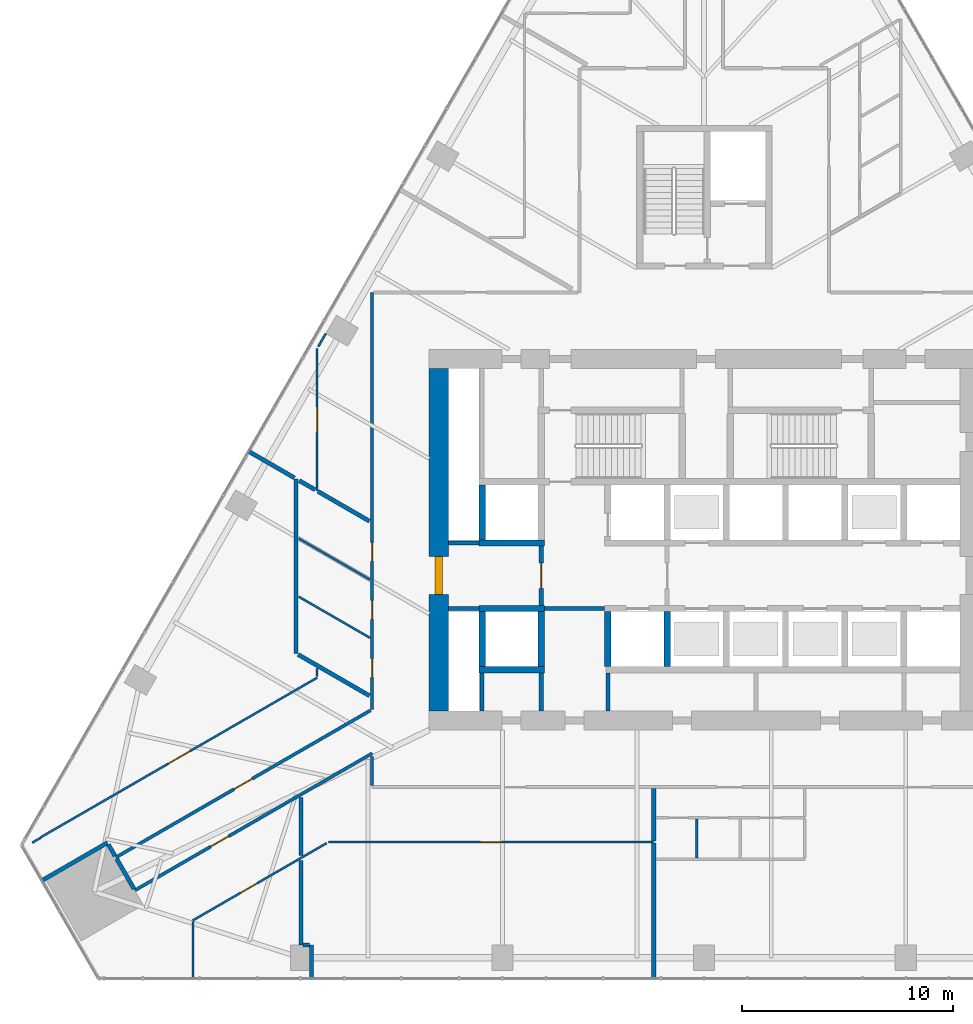
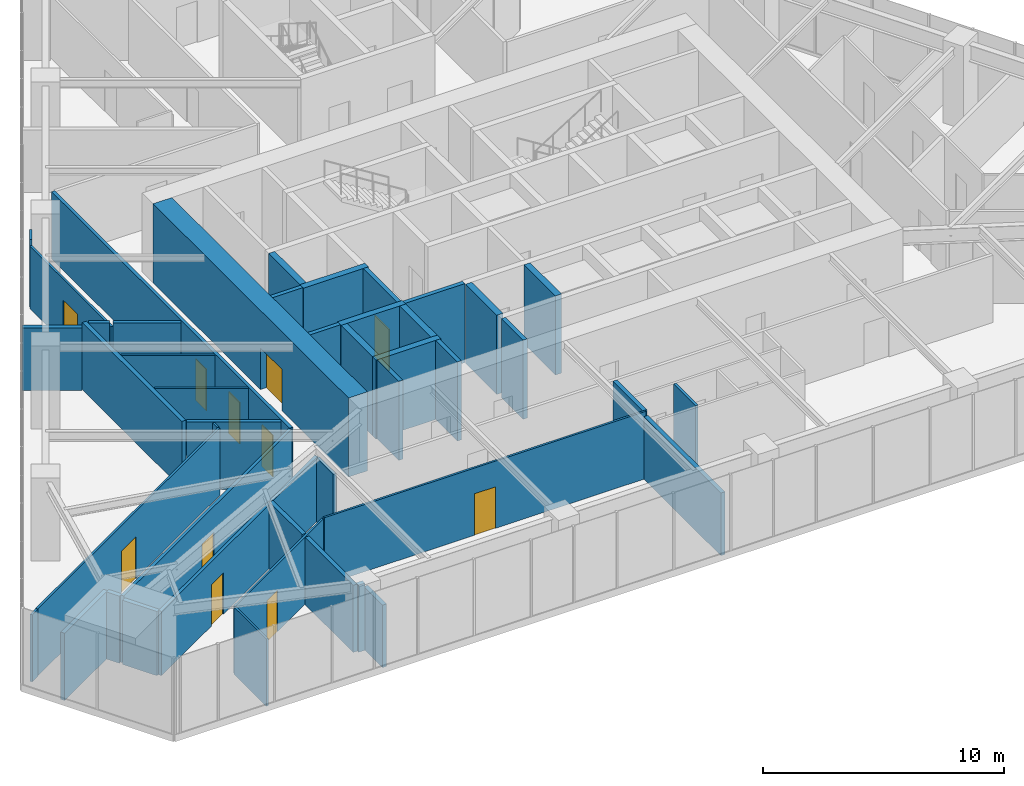
# One storey, part 20 of 26: 45 walls, 11 doors, 11 openings.
"""IFC4 building model written with IfcOpenShell, lengths in metres."""

from ifc_helpers import new_model, si_unit, direction, frame, frame_2d, origin, place, context, subcontext, project, spatial, rectangle, extrude, material, layer, layer_set, type_object, element, fill, save


model = new_model("IFC4")

# Units and contexts
model_context = context("Model", 3, precision=1e-05, world=origin(), true_north=direction((0.0, 1.0)))
body_context = subcontext(model_context, "Body", "Model", "MODEL_VIEW")
ifc_project = project(units=[si_unit("LENGTHUNIT", "METRE"), si_unit("AREAUNIT", "SQUARE_METRE"), si_unit("VOLUMEUNIT", "CUBIC_METRE"), si_unit("PLANEANGLEUNIT", "RADIAN"), si_unit("MASSUNIT", "GRAM", prefix="KILO")], contexts=[model_context])

# Site, building, storey
site_placement = place(None, origin())
site = spatial("IfcSite", under=ifc_project, at=site_placement, CompositionType="ELEMENT")
building_placement = place(site_placement, origin())
building = spatial("IfcBuilding", under=site, at=building_placement, Name="Firuza Gate Tower and Library", CompositionType="ELEMENT")
storey_placement = place(building_placement, frame((0.0, 0.0, 65.199951171875)))
storey = spatial("IfcBuildingStorey", under=building, at=storey_placement, Name="L14", CompositionType="ELEMENT", Elevation=65.199951171875)

# Walls
ifc_material_1 = material(Name="Plasterboard on steel studs", Category="steel")
ifc_layer_1 = layer(ifc_material_1, 0.199951171875)
ifc_layer_set_1 = layer_set([ifc_layer_1], Name="Core partition 200 EI 120")
wall_type_1 = type_object("IfcWallType", Name="Core partition 200 EI 120", PredefinedType="PARTITIONING", material=ifc_layer_set_1)
for number, where, z_axis, x_axis, name in (
    (1, (62.89990234375, 71.75, 0.0), (0.0, 0.0, 1.0), (1.0, 0.0, 0.0), "Core partition L14 1"),
    (2, (62.89990234375, 74.85009765625, 0.0), (0.0, 0.0, 1.0), (1.0, 0.0, 0.0), "Core partition L14 3"),
):
    element("IfcWall", number, at=place(storey_placement, frame(where, z_axis=z_axis, x_axis=x_axis)), inside=storey, type_object=wall_type_1, Name=name, PredefinedType="PARTITIONING", context=body_context, shape_type="SweptSolid", body=[
        extrude(rectangle(XDim=1.4501953125, YDim=0.199951171875, at=frame_2d((0.72509765625, 0.0))), origin(), (0.0, 0.0, 1.0), 4.0),
    ])
for number, where, z_axis, x_axis, name in (
    (3, (64.5, 66.89990234375, 0.0), (0.0, 0.0, 1.0), (0.0, 1.0, 0.0), "Core partition L14 5"),
    (4, (67.300048828125, 66.89990234375, 0.0), (0.0, 0.0, 1.0), (0.0, 1.0, 0.0), "Core partition L14 7"),
    (5, (70.449951171875, 66.89990234375, 0.0), (0.0, 0.0, 1.0), (0.0, 1.0, 0.0), "Core partition L14 10"),
):
    element("IfcWall", number, at=place(storey_placement, frame(where, z_axis=z_axis, x_axis=x_axis)), inside=storey, type_object=wall_type_1, Name=name, PredefinedType="PARTITIONING", context=body_context, shape_type="SweptSolid", body=[
        extrude(rectangle(XDim=1.800048828125, YDim=0.199951171875, at=frame_2d((0.89990234375, 0.0))), origin(), (0.0, 0.0, 1.0), 4.0),
    ])
ifc_material_2 = material(Name="Plasterboard on steel studs", Category="steel")
ifc_layer_2 = layer(ifc_material_2, 0.199951171875)
ifc_layer_set_2 = layer_set([ifc_layer_2], Name="Core partition 200 EI 60")
wall_type_2 = type_object("IfcWallType", Name="Core partition 200 EI 60", PredefinedType="PARTITIONING", material=ifc_layer_set_2)
wall_1_placement = place(storey_placement, frame((67.449951171875, 71.75, 0.0), z_axis=(0.0, 0.0, 1.0), x_axis=(1.0, 0.0, 0.0)))
element("IfcWall", 6, at=wall_1_placement, inside=storey, type_object=wall_type_2, Name="Core partition L14 2", PredefinedType="PARTITIONING", context=body_context, shape_type="SweptSolid", body=[
    extrude(rectangle(XDim=2.85009765625, YDim=0.199951171875, at=frame_2d((1.425048828125, 0.0))), origin(), (0.0, 0.0, 1.0), 4.0),
])

# Wall, opening, door
wall_2_placement = place(storey_placement, frame((67.300048828125, 71.89990234375, 0.0), z_axis=(0.0, 0.0, 1.0), x_axis=(0.0, 1.0, 0.0)))
wall_2 = element("IfcWall", 7, at=wall_2_placement, inside=storey, type_object=wall_type_2, Name="Core partition L14 8", PredefinedType="PARTITIONING", context=body_context, shape_type="SweptSolid", body=[
    extrude(rectangle(XDim=2.800048828125, YDim=0.199951171875, at=frame_2d((1.39990234375, 0.0))), origin(), (0.0, 0.0, 1.0), 4.0),
])
opening_1_placement = place(wall_2_placement, frame((0.800048828125, 0.0, 0.0)))
opening_1 = element("IfcOpeningElement", 8, at=opening_1_placement, cuts=wall_2, Name="Opening L14-K21", PredefinedType="OPENING", context=body_context, shape_type="SweptSolid", body=[
    extrude(rectangle(XDim=1.199951171875, YDim=2.10009765625, at=frame_2d((0.60009765625, 1.050048828125))), frame((0.0, 0.10986328125, 0.0), z_axis=(0.0, -1.0, 0.0), x_axis=(1.0, 0.0, 0.0)), (0.0, 0.0, 1.0), 0.219970703125),
])
ifc_material_3 = material(Name="Steel", Category="steel")
door_type_1 = type_object("IfcDoorType", Name="Fire door 1200x2100 FD90S", OperationType="NOTDEFINED", PredefinedType="DOOR", material=ifc_material_3)
door_1_placement = place(opening_1_placement, origin())
door_1 = element("IfcDoor", 9, at=door_1_placement, inside=storey, type_object=door_type_1, Name="Door L14-K21", OperationType="SINGLE_SWING_RIGHT", OverallHeight=2.10009765625, OverallWidth=1.199951171875, PredefinedType="DOOR", context=body_context, shape_type="SweptSolid", body=[
    extrude(rectangle(XDim=1.199951171875, YDim=2.10009765625, at=frame_2d((0.60009765625, 1.050048828125))), frame((0.0, 0.02490234375, 0.0), z_axis=(0.0, -1.0, 0.0), x_axis=(1.0, 0.0, 0.0)), (0.0, 0.0, 1.0), 0.050048828125),
])
fill(opening_1, door_1)

# Walls
ifc_material_4 = material(Name="Concrete C80/95", Category="concrete")
ifc_layer_3 = layer(ifc_material_4, 0.300048828125)
ifc_layer_set_3 = layer_set([ifc_layer_3], Name="Core wall 300 C80/95")
wall_type_3 = type_object("IfcWallType", Name="Core wall 300 C80/95", PredefinedType="SHEAR", material=ifc_layer_set_3)
for number, where, z_axis, x_axis, name in (
    (10, (64.35009765625, 68.85009765625, 0.0), (0.0, 0.0, 1.0), (1.0, 0.0, 0.0), "Core wall L14 5"),
    (11, (64.35009765625, 71.75, 0.0), (0.0, 0.0, 1.0), (1.0, 0.0, 0.0), "Core wall L14 7"),
    (12, (64.35009765625, 74.85009765625, 0.0), (0.0, 0.0, 1.0), (1.0, 0.0, 0.0), "Core wall L14 9"),
):
    element("IfcWall", number, at=place(storey_placement, frame(where, z_axis=z_axis, x_axis=x_axis)), inside=storey, type_object=wall_type_3, Name=name, PredefinedType="SHEAR", context=body_context, shape_type="SweptSolid", body=[
        extrude(rectangle(XDim=3.099853515625, YDim=0.300048828125, at=frame_2d((1.5498046875, 0.0))), origin(), (0.0, 0.0, 1.0), 4.0),
    ])
for number, where, z_axis, x_axis, name in (
    (13, (64.5, 69.0, 0.0), (0.0, 0.0, 1.0), (0.0, 1.0, 0.0), "Core wall L14 11"),
    (14, (64.5, 75.0, 0.0), (0.0, 0.0, 1.0), (0.0, 1.0, 0.0), "Core wall L14 12"),
    (15, (67.300048828125, 69.0, 0.0), (0.0, 0.0, 1.0), (0.0, 1.0, 0.0), "Core wall L14 13"),
    (16, (70.449951171875, 69.0, 0.0), (0.0, 0.0, 1.0), (0.0, 1.0, 0.0), "Core wall L14 15"),
    (17, (73.25, 69.0, 0.0), (0.0, 0.0, 1.0), (0.0, 1.0, 0.0), "Core wall L14 17"),
):
    element("IfcWall", number, at=place(storey_placement, frame(where, z_axis=z_axis, x_axis=x_axis)), inside=storey, type_object=wall_type_3, Name=name, PredefinedType="SHEAR", context=body_context, shape_type="SweptSolid", body=[
        extrude(rectangle(XDim=2.60009765625, YDim=0.300048828125, at=frame_2d((1.300048828125, 0.0))), origin(), (0.0, 0.0, 1.0), 4.0),
    ])

# Wall, opening, door
ifc_material_5 = material(Name="Concrete C80/95", Category="concrete")
ifc_layer_4 = layer(ifc_material_5, 0.89990234375)
ifc_layer_set_4 = layer_set([ifc_layer_4], Name="Core wall 900 C80/95")
wall_type_4 = type_object("IfcWallType", Name="Core wall 900 C80/95", PredefinedType="SHEAR", material=ifc_layer_set_4)
wall_3_placement = place(storey_placement, frame((62.449951171875, 66.89990234375, 0.0), z_axis=(0.0, 0.0, 1.0), x_axis=(0.0, 1.0, 0.0)))
wall_3 = element("IfcWall", 18, at=wall_3_placement, inside=storey, type_object=wall_type_4, Name="Core wall L14 3", PredefinedType="SHEAR", context=body_context, shape_type="SweptSolid", body=[
    extrude(rectangle(XDim=16.2001953125, YDim=0.89990234375, at=frame_2d((8.10009765625, 0.0))), origin(), (0.0, 0.0, 1.0), 4.0),
])
opening_2_placement = place(wall_3_placement, frame((5.5, 0.0, 0.0)))
opening_2 = element("IfcOpeningElement", 19, at=opening_2_placement, cuts=wall_3, Name="Opening L14-K22", PredefinedType="OPENING", context=body_context, shape_type="SweptSolid", body=[
    extrude(rectangle(XDim=1.800048828125, YDim=2.10009765625, at=frame_2d((0.89990234375, 1.050048828125))), frame((0.0, 0.4599609375, 0.0), z_axis=(0.0, -1.0, 0.0), x_axis=(1.0, 0.0, 0.0)), (0.0, 0.0, 1.0), 0.919921875),
])
ifc_material_6 = material(Name="Steel", Category="steel")
door_type_2 = type_object("IfcDoorType", Name="Fire door 1800x2100 FD30S", OperationType="NOTDEFINED", PredefinedType="DOOR", material=ifc_material_6)
door_2_placement = place(opening_2_placement, origin())
door_2 = element("IfcDoor", 20, at=door_2_placement, inside=storey, type_object=door_type_2, Name="Door L14-K22", OperationType="SINGLE_SWING_LEFT", OverallHeight=2.10009765625, OverallWidth=1.800048828125, PredefinedType="DOOR", context=body_context, shape_type="SweptSolid", body=[
    extrude(rectangle(XDim=1.800048828125, YDim=2.10009765625, at=frame_2d((0.89990234375, 1.050048828125))), frame((0.0, 0.169921875, 0.0), z_axis=(0.0, -1.0, 0.0), x_axis=(1.0, 0.0, 0.0)), (0.0, 0.0, 1.0), 0.33984375),
])
fill(opening_2, door_2)

ifc_material_7 = material(Name="Gypsum board partition")
ifc_layer_5 = layer(ifc_material_7, 0.14990234375)
ifc_layer_set_5 = layer_set([ifc_layer_5], Name="Corridor wall 150 double board on steel studs")
wall_type_5 = type_object("IfcWallType", Name="Corridor wall 150 double board on steel studs", PredefinedType="PARTITIONING", material=ifc_layer_set_5)
wall_4_placement = place(storey_placement, frame((59.300048828125, 64.896484375, 0.0), z_axis=(0.0, 0.0, 1.0), x_axis=(-0.86602302899, -0.500004113243, 0.0)))
wall_4 = element("IfcWall", 21, at=wall_4_placement, inside=storey, type_object=wall_type_5, Name="f:L14:w017", PredefinedType="PARTITIONING", context=body_context, shape_type="SweptSolid", body=[
    extrude(rectangle(XDim=12.95556640625, YDim=0.14990234375, at=frame_2d((6.477783203125, 0.0))), origin(), (0.0, 0.0, 1.0), 3.2470703125),
])
opening_3_placement = place(wall_4_placement, frame((7.8212890625, 0.0, 0.0)))
opening_3 = element("IfcOpeningElement", 22, at=opening_3_placement, cuts=wall_4, Name="Opening L14-14", PredefinedType="OPENING", context=body_context, shape_type="SweptSolid", body=[
    extrude(rectangle(XDim=1.0, YDim=2.10009765625, at=frame_2d((0.5, 1.050048828125))), frame((0.0, 0.0849609375, 0.0), z_axis=(0.0, -1.0, 0.0), x_axis=(1.0, 0.0, 0.0)), (0.0, 0.0, 1.0), 0.169921875),
])
ifc_material_8 = material(Name="Steel door and timber leaf", Category="steel")
door_type_3 = type_object("IfcDoorType", Name="Fire door 1000 x 2100 steel frame, timber leaf", OperationType="NOTDEFINED", PredefinedType="DOOR", material=ifc_material_8)
door_3_placement = place(opening_3_placement, origin())
door_3 = element("IfcDoor", 23, at=door_3_placement, inside=storey, type_object=door_type_3, Name="f:L14:d014", OperationType="SINGLE_SWING_RIGHT", OverallHeight=2.10009765625, OverallWidth=1.0, PredefinedType="DOOR", context=body_context, shape_type="SweptSolid", body=[
    extrude(rectangle(XDim=1.0, YDim=2.10009765625, at=frame_2d((0.5, 1.050048828125))), frame((0.0, 0.02490234375, 0.0), z_axis=(0.0, -1.0, 0.0), x_axis=(1.0, 0.0, 0.0)), (0.0, 0.0, 1.0), 0.050048828125),
])
fill(opening_3, door_3)

wall_5_placement = place(storey_placement, frame((47.17822265625, 59.976318359375, 0.0), z_axis=(0.0, 0.0, 1.0), x_axis=(0.866019280802, 0.500010605167, 0.0)))
wall_5 = element("IfcWall", 24, at=wall_5_placement, inside=storey, type_object=wall_type_5, Name="f:L14:w018", PredefinedType="PARTITIONING", context=body_context, shape_type="SweptSolid", body=[
    extrude(rectangle(XDim=13.910400390625, YDim=0.14990234375, at=frame_2d((6.955078125, 0.0))), origin(), (0.0, 0.0, 1.0), 3.400146484375),
])
opening_4_placement = place(wall_5_placement, frame((6.455322265625, 0.0, 0.0)))
opening_4 = element("IfcOpeningElement", 25, at=opening_4_placement, cuts=wall_5, Name="Opening L14-15", PredefinedType="OPENING", context=body_context, shape_type="SweptSolid", body=[
    extrude(rectangle(XDim=1.0, YDim=2.10009765625, at=frame_2d((0.5, 1.050048828125))), frame((0.0, 0.0849609375, 0.0), z_axis=(0.0, -1.0, 0.0), x_axis=(1.0, 0.0, 0.0)), (0.0, 0.0, 1.0), 0.169921875),
])
door_4_placement = place(opening_4_placement, origin())
door_4 = element("IfcDoor", 26, at=door_4_placement, inside=storey, type_object=door_type_3, Name="f:L14:d015", OperationType="SINGLE_SWING_LEFT", OverallHeight=2.10009765625, OverallWidth=1.0, PredefinedType="DOOR", context=body_context, shape_type="SweptSolid", body=[
    extrude(rectangle(XDim=1.0, YDim=2.10009765625, at=frame_2d((0.5, 1.050048828125))), frame((0.0, 0.02490234375, 0.0), z_axis=(0.0, -1.0, 0.0), x_axis=(1.0, 0.0, 0.0)), (0.0, 0.0, 1.0), 0.050048828125),
])
fill(opening_4, door_4)

# Wall
wall_6_placement = place(storey_placement, frame((59.300048828125, 63.375, 0.0), z_axis=(0.0, 0.0, 1.0), x_axis=(0.0, 1.0, 0.0)))
element("IfcWall", 27, at=wall_6_placement, inside=storey, type_object=wall_type_5, Name="f:L14:w045", PredefinedType="PARTITIONING", context=body_context, shape_type="SweptSolid", body=[
    extrude(rectangle(XDim=1.384765625, YDim=0.14990234375, at=frame_2d((0.6923828125, 0.0))), origin(), (0.0, 0.0, 1.0), 3.2470703125),
])

# Wall, openings, doors
wall_7_placement = place(storey_placement, frame((59.300048828125, 66.974853515625, 0.0), z_axis=(0.0, 0.0, 1.0), x_axis=(0.0, 1.0, 0.0)))
wall_7 = element("IfcWall", 28, at=wall_7_placement, inside=storey, type_object=wall_type_5, Name="f:L14:w046", PredefinedType="PARTITIONING", context=body_context, shape_type="SweptSolid", body=[
    extrude(rectangle(XDim=19.724609375, YDim=0.14990234375, at=frame_2d((9.8623046875, 0.0))), origin(), (0.0, 0.0, 1.0), 3.400146484375),
])
opening_5_placement = place(wall_7_placement, frame((1.501708984375, 0.0, 0.0)))
opening_5 = element("IfcOpeningElement", 29, at=opening_5_placement, cuts=wall_7, Name="Opening L14-29", PredefinedType="OPENING", context=body_context, shape_type="SweptSolid", body=[
    extrude(rectangle(XDim=0.89990234375, YDim=2.10009765625, at=frame_2d((0.449951171875, 1.050048828125))), frame((0.0, 0.0849609375, 0.0), z_axis=(0.0, -1.0, 0.0), x_axis=(1.0, 0.0, 0.0)), (0.0, 0.0, 1.0), 0.169921875),
])
opening_6_placement = place(wall_7_placement, frame((4.254150390625, 0.0, 0.0)))
opening_6 = element("IfcOpeningElement", 30, at=opening_6_placement, cuts=wall_7, Name="Opening L14-30", PredefinedType="OPENING", context=body_context, shape_type="SweptSolid", body=[
    extrude(rectangle(XDim=0.89990234375, YDim=2.10009765625, at=frame_2d((0.449951171875, 1.050048828125))), frame((0.0, 0.0849609375, 0.0), z_axis=(0.0, -1.0, 0.0), x_axis=(1.0, 0.0, 0.0)), (0.0, 0.0, 1.0), 0.169921875),
])
opening_7_placement = place(wall_7_placement, frame((7.006591796875, 0.0, 0.0)))
opening_7 = element("IfcOpeningElement", 31, at=opening_7_placement, cuts=wall_7, Name="Opening L14-31", PredefinedType="OPENING", context=body_context, shape_type="SweptSolid", body=[
    extrude(rectangle(XDim=0.89990234375, YDim=2.10009765625, at=frame_2d((0.449951171875, 1.050048828125))), frame((0.0, 0.0849609375, 0.0), z_axis=(0.0, -1.0, 0.0), x_axis=(1.0, 0.0, 0.0)), (0.0, 0.0, 1.0), 0.169921875),
])
ifc_material_9 = material(Name="Steel door and timber leaf", Category="steel")
door_type_4 = type_object("IfcDoorType", Name="Fire door 900 x 2100 steel frame, timber leaf", OperationType="NOTDEFINED", PredefinedType="DOOR", material=ifc_material_9)
door_5_placement = place(opening_5_placement, origin())
door_5 = element("IfcDoor", 32, at=door_5_placement, inside=storey, type_object=door_type_4, Name="f:L14:d029", OperationType="SINGLE_SWING_LEFT", OverallHeight=2.10009765625, OverallWidth=0.89990234375, PredefinedType="DOOR", context=body_context, shape_type="SweptSolid", body=[
    extrude(rectangle(XDim=0.89990234375, YDim=2.10009765625, at=frame_2d((0.449951171875, 1.050048828125))), frame((0.0, 0.02490234375, 0.0), z_axis=(0.0, -1.0, 0.0), x_axis=(1.0, 0.0, 0.0)), (0.0, 0.0, 1.0), 0.050048828125),
])
fill(opening_5, door_5)
door_6_placement = place(opening_6_placement, origin())
door_6 = element("IfcDoor", 33, at=door_6_placement, inside=storey, type_object=door_type_4, Name="f:L14:d030", OperationType="SINGLE_SWING_RIGHT", OverallHeight=2.10009765625, OverallWidth=0.89990234375, PredefinedType="DOOR", context=body_context, shape_type="SweptSolid", body=[
    extrude(rectangle(XDim=0.89990234375, YDim=2.10009765625, at=frame_2d((0.449951171875, 1.050048828125))), frame((0.0, 0.02490234375, 0.0), z_axis=(0.0, -1.0, 0.0), x_axis=(1.0, 0.0, 0.0)), (0.0, 0.0, 1.0), 0.050048828125),
])
fill(opening_6, door_6)
door_7_placement = place(opening_7_placement, origin())
door_7 = element("IfcDoor", 34, at=door_7_placement, inside=storey, type_object=door_type_4, Name="f:L14:d031", OperationType="SINGLE_SWING_LEFT", OverallHeight=2.10009765625, OverallWidth=0.89990234375, PredefinedType="DOOR", context=body_context, shape_type="SweptSolid", body=[
    extrude(rectangle(XDim=0.89990234375, YDim=2.10009765625, at=frame_2d((0.449951171875, 1.050048828125))), frame((0.0, 0.02490234375, 0.0), z_axis=(0.0, -1.0, 0.0), x_axis=(1.0, 0.0, 0.0)), (0.0, 0.0, 1.0), 0.050048828125),
])
fill(opening_7, door_7)

# Walls
ifc_material_10 = material(Name="Gypsum board partition")
ifc_layer_6 = layer(ifc_material_10, 0.199951171875)
ifc_layer_set_6 = layer_set([ifc_layer_6], Name="Demising wall 200 acoustic double stud")
wall_type_6 = type_object("IfcWallType", Name="Demising wall 200 acoustic double stud", PredefinedType="PARTITIONING", material=ifc_layer_set_6)
wall_8_placement = place(storey_placement, frame((56.031005859375, 55.8291015625, 0.0), z_axis=(0.0, 0.0, 1.0), x_axis=(1.0, 0.0, 0.0)))
element("IfcWall", 35, at=wall_8_placement, inside=storey, type_object=wall_type_6, Name="f:L14:w000", PredefinedType="PARTITIONING", context=body_context, shape_type="SweptSolid", body=[
    extrude(rectangle(XDim=0.299560546875, YDim=0.199951171875, at=frame_2d((0.14990234375, 0.0))), origin(), (0.0, 0.0, 1.0), 3.400146484375),
])
wall_9_placement = place(storey_placement, frame((43.69482421875, 58.888427734375, 0.0), z_axis=(0.0, 0.0, 1.0), x_axis=(0.866031398331, 0.499989616998, 0.0)))
element("IfcWall", 36, at=wall_9_placement, inside=storey, type_object=wall_type_6, Name="f:L14:w019", PredefinedType="PARTITIONING", context=body_context, shape_type="SweptSolid", body=[
    extrude(rectangle(XDim=3.5595703125, YDim=0.199951171875, at=frame_2d((1.77978515625, 0.0))), origin(), (0.0, 0.0, 1.0), 3.400146484375),
])
wall_10_placement = place(storey_placement, frame((72.615966796875, 54.268798828125, 0.0), z_axis=(0.0, 0.0, 1.0), x_axis=(0.0, 1.0, 0.0)))
element("IfcWall", 37, at=wall_10_placement, inside=storey, type_object=wall_type_6, Name="f:L14:w040", PredefinedType="PARTITIONING", context=body_context, shape_type="SweptSolid", body=[
    extrude(rectangle(XDim=6.381103515625, YDim=0.199951171875, at=frame_2d((3.1904296875, 0.0))), origin(), (0.0, 0.0, 1.0), 3.1650390625),
])
wall_11_placement = place(storey_placement, frame((56.430908203125, 54.268798828125, 0.0), z_axis=(0.0, 0.0, 1.0), x_axis=(0.0, 1.0, 0.0)))
element("IfcWall", 38, at=wall_11_placement, inside=storey, type_object=wall_type_6, Name="f:L14:w049", PredefinedType="PARTITIONING", context=body_context, shape_type="SweptSolid", body=[
    extrude(rectangle(XDim=1.5595703125, YDim=0.199951171875, at=frame_2d((0.77978515625, 0.0))), origin(), (0.0, 0.0, 1.0), 3.1650390625),
])
wall_12_placement = place(storey_placement, frame((55.930908203125, 55.828857421875, 0.0), z_axis=(0.0, 0.0, 1.0), x_axis=(0.0, 1.0, 0.0)))
element("IfcWall", 39, at=wall_12_placement, inside=storey, type_object=wall_type_6, Name="f:L14:w050", PredefinedType="PARTITIONING", context=body_context, shape_type="SweptSolid", body=[
    extrude(rectangle(XDim=4.0048828125, YDim=0.199951171875, at=frame_2d((2.00244140625, 0.0))), origin(), (0.0, 0.0, 1.0), 3.400146484375),
])
wall_13_placement = place(storey_placement, frame((55.699951171875, 69.629638671875, 0.0), z_axis=(0.0, 0.0, 1.0), x_axis=(0.0, 1.0, 0.0)))
element("IfcWall", 40, at=wall_13_placement, inside=storey, type_object=wall_type_6, Name="f:L14:w051", PredefinedType="PARTITIONING", context=body_context, shape_type="SweptSolid", body=[
    extrude(rectangle(XDim=8.255859375, YDim=0.199951171875, at=frame_2d((4.1279296875, 0.0))), origin(), (0.0, 0.0, 1.0), 3.400146484375),
])
wall_14_placement = place(storey_placement, frame((48.03857421875, 58.484619140625, 0.0), z_axis=(0.0, 0.0, 1.0), x_axis=(-0.499949127178, 0.86605477323, 0.0)))
element("IfcWall", 41, at=wall_14_placement, inside=storey, type_object=wall_type_6, Name="f:L14:w053", PredefinedType="PARTITIONING", context=body_context, shape_type="SweptSolid", body=[
    extrude(rectangle(XDim=1.647216796875, YDim=0.199951171875, at=frame_2d((0.82373046875, 0.0))), origin(), (0.0, 0.0, 1.0), 3.2470703125),
])
wall_15_placement = place(storey_placement, frame((59.173095703125, 75.880615234375, 0.0), z_axis=(0.0, 0.0, 1.0), x_axis=(-0.866049697453, 0.499957919771, 0.0)))
element("IfcWall", 42, at=wall_15_placement, inside=storey, type_object=wall_type_6, Name="f:L14:w062", PredefinedType="PARTITIONING", context=body_context, shape_type="SweptSolid", body=[
    extrude(rectangle(XDim=2.812255859375, YDim=0.199951171875, at=frame_2d((1.40625, 0.0))), origin(), (0.0, 0.0, 1.0), 3.400146484375),
])
wall_16_placement = place(storey_placement, frame((59.1728515625, 67.623291015625, 0.0), z_axis=(0.0, 0.0, 1.0), x_axis=(-0.866000809756, 0.500042595688, 0.0)))
element("IfcWall", 43, at=wall_16_placement, inside=storey, type_object=wall_type_6, Name="f:L14:w065", PredefinedType="PARTITIONING", context=body_context, shape_type="SweptSolid", body=[
    extrude(rectangle(XDim=3.894775390625, YDim=0.199951171875, at=frame_2d((1.947265625, 0.0))), origin(), (0.0, 0.0, 1.0), 3.400146484375),
])
wall_17_placement = place(storey_placement, frame((72.615966796875, 60.75, 0.0), z_axis=(0.0, 0.0, 1.0), x_axis=(0.0, 1.0, 0.0)))
element("IfcWall", 44, at=wall_17_placement, inside=storey, type_object=wall_type_6, Name="f:L14:w066", PredefinedType="PARTITIONING", context=body_context, shape_type="SweptSolid", body=[
    extrude(rectangle(XDim=2.47509765625, YDim=0.199951171875, at=frame_2d((1.237548828125, 0.0))), origin(), (0.0, 0.0, 1.0), 3.400146484375),
])
wall_18_placement = place(storey_placement, frame((55.930908203125, 60.064697265625, 0.0), z_axis=(0.0, 0.0, 1.0), x_axis=(0.0, 1.0, 0.0)))
element("IfcWall", 45, at=wall_18_placement, inside=storey, type_object=wall_type_6, Name="f:L14:w071", PredefinedType="PARTITIONING", context=body_context, shape_type="SweptSolid", body=[
    extrude(rectangle(XDim=2.739990234375, YDim=0.199951171875, at=frame_2d((1.3701171875, 0.0))), origin(), (0.0, 0.0, 1.0), 3.400146484375),
])
wall_19_placement = place(storey_placement, frame((47.14013671875, 60.041015625, 0.0), z_axis=(0.0, 0.0, 1.0), x_axis=(-0.500049599607, 0.865996765544, 0.0)))
element("IfcWall", 46, at=wall_19_placement, inside=storey, type_object=wall_type_6, Name="f:L14:w072", PredefinedType="PARTITIONING", context=body_context, shape_type="SweptSolid", body=[
    extrude(rectangle(XDim=0.62451171875, YDim=0.199951171875, at=frame_2d((0.312255859375, 0.0))), origin(), (0.0, 0.0, 1.0), 3.400146484375),
])
wall_20_placement = place(storey_placement, frame((56.60009765625, 77.3662109375, 0.0), z_axis=(0.0, 0.0, 1.0), x_axis=(-0.866101087359, 0.499868889286, 0.0)))
element("IfcWall", 47, at=wall_20_placement, inside=storey, type_object=wall_type_6, Name="f:L14:w077", PredefinedType="PARTITIONING", context=body_context, shape_type="SweptSolid", body=[
    extrude(rectangle(XDim=0.865966796875, YDim=0.199951171875, at=frame_2d((0.43310546875, 0.0))), origin(), (0.0, 0.0, 1.0), 3.400146484375),
])
wall_21_placement = place(storey_placement, frame((55.625, 77.928955078125, 0.0), z_axis=(0.0, 0.0, 1.0), x_axis=(-0.86602376425, 0.500002839747, 0.0)))
element("IfcWall", 48, at=wall_21_placement, inside=storey, type_object=wall_type_6, Name="f:L14:w078", PredefinedType="PARTITIONING", context=body_context, shape_type="SweptSolid", body=[
    extrude(rectangle(XDim=2.4873046875, YDim=0.199951171875, at=frame_2d((1.24365234375, 0.0))), origin(), (0.0, 0.0, 1.0), 3.1650390625),
])

# Wall, opening, door
ifc_material_11 = material(Name="Gypsum board partition")
ifc_layer_7 = layer(ifc_material_11, 0.10009765625)
ifc_layer_set_7 = layer_set([ifc_layer_7], Name="Partition 100 gypsum board on steel studs")
wall_type_7 = type_object("IfcWallType", Name="Partition 100 gypsum board on steel studs", PredefinedType="PARTITIONING", material=ifc_layer_set_7)
wall_22_placement = place(storey_placement, frame((57.231689453125, 60.699951171875, 0.0), z_axis=(0.0, 0.0, 1.0), x_axis=(1.0, 0.0, 0.0)))
wall_22 = element("IfcWall", 49, at=wall_22_placement, inside=storey, type_object=wall_type_7, Name="f:L14:w002", PredefinedType="PARTITIONING", context=body_context, shape_type="SweptSolid", body=[
    extrude(rectangle(XDim=15.384765625, YDim=0.10009765625, at=frame_2d((7.6923828125, 0.0))), origin(), (0.0, 0.0, 1.0), 3.400146484375),
])
opening_8_placement = place(wall_22_placement, frame((7.1923828125, 0.0, 0.0)))
opening_8 = element("IfcOpeningElement", 50, at=opening_8_placement, cuts=wall_22, Name="Opening L14-01", PredefinedType="OPENING", context=body_context, shape_type="SweptSolid", body=[
    extrude(rectangle(XDim=1.0, YDim=2.10009765625, at=frame_2d((0.5, 1.050048828125))), frame((0.0, 0.06005859375, 0.0), z_axis=(0.0, -1.0, 0.0), x_axis=(1.0, 0.0, 0.0)), (0.0, 0.0, 1.0), 0.1201171875),
])
ifc_material_12 = material(Name="Timber door", Category="wood")
door_type_5 = type_object("IfcDoorType", Name="Door 1000 x 2100 timber leaf", OperationType="NOTDEFINED", PredefinedType="DOOR", material=ifc_material_12)
door_8_placement = place(opening_8_placement, origin())
door_8 = element("IfcDoor", 51, at=door_8_placement, inside=storey, type_object=door_type_5, Name="f:L14:d001", OperationType="SINGLE_SWING_LEFT", OverallHeight=2.10009765625, OverallWidth=1.0, PredefinedType="DOOR", context=body_context, shape_type="SweptSolid", body=[
    extrude(rectangle(XDim=1.0, YDim=2.10009765625, at=frame_2d((0.5, 1.050048828125))), frame((0.0, 0.02490234375, 0.0), z_axis=(0.0, -1.0, 0.0), x_axis=(1.0, 0.0, 0.0)), (0.0, 0.0, 1.0), 0.050048828125),
])
fill(opening_8, door_8)

wall_23_placement = place(storey_placement, frame((50.818603515625, 56.99755859375, 0.0), z_axis=(0.0, 0.0, 1.0), x_axis=(0.866023631393, 0.50000306986, 0.0)))
wall_23 = element("IfcWall", 52, at=wall_23_placement, inside=storey, type_object=wall_type_7, Name="f:L14:w016", PredefinedType="PARTITIONING", context=body_context, shape_type="SweptSolid", body=[
    extrude(rectangle(XDim=7.30517578125, YDim=0.10009765625, at=frame_2d((3.652587890625, 0.0))), origin(), (0.0, 0.0, 1.0), 3.400146484375),
])
opening_9_placement = place(wall_23_placement, frame((2.6015625, 0.0, 0.0)))
opening_9 = element("IfcOpeningElement", 53, at=opening_9_placement, cuts=wall_23, Name="Opening L14-13", PredefinedType="OPENING", context=body_context, shape_type="SweptSolid", body=[
    extrude(rectangle(XDim=0.89990234375, YDim=2.10009765625, at=frame_2d((0.449951171875, 1.050048828125))), frame((0.0, 0.06005859375, 0.0), z_axis=(0.0, -1.0, 0.0), x_axis=(1.0, 0.0, 0.0)), (0.0, 0.0, 1.0), 0.1201171875),
])
ifc_material_13 = material(Name="Timber door", Category="wood")
door_type_6 = type_object("IfcDoorType", Name="Door 900 x 2100 timber leaf", OperationType="NOTDEFINED", PredefinedType="DOOR", material=ifc_material_13)
door_9_placement = place(opening_9_placement, origin())
door_9 = element("IfcDoor", 54, at=door_9_placement, inside=storey, type_object=door_type_6, Name="f:L14:d013", OperationType="SINGLE_SWING_RIGHT", OverallHeight=2.10009765625, OverallWidth=0.89990234375, PredefinedType="DOOR", context=body_context, shape_type="SweptSolid", body=[
    extrude(rectangle(XDim=0.89990234375, YDim=2.10009765625, at=frame_2d((0.449951171875, 1.050048828125))), frame((0.0, 0.02490234375, 0.0), z_axis=(0.0, -1.0, 0.0), x_axis=(1.0, 0.0, 0.0)), (0.0, 0.0, 1.0), 0.050048828125),
])
fill(opening_9, door_9)

# Wall
wall_24_placement = place(storey_placement, frame((43.22607421875, 60.673828125, 0.0), z_axis=(0.0, 0.0, 1.0), x_axis=(0.866073792734, 0.499916178513, 0.0)))
element("IfcWall", 55, at=wall_24_placement, inside=storey, type_object=wall_type_7, Name="f:L14:w020", PredefinedType="PARTITIONING", context=body_context, shape_type="SweptSolid", body=[
    extrude(rectangle(XDim=0.47265625, YDim=0.10009765625, at=frame_2d((0.236328125, 0.0))), origin(), (0.0, 0.0, 1.0), 3.400146484375),
])

# Wall, opening, door
wall_25_placement = place(storey_placement, frame((56.69970703125, 68.475830078125, 0.0), z_axis=(0.0, 0.0, 1.0), x_axis=(-0.866026152489, -0.499998703203, 0.0)))
wall_25 = element("IfcWall", 56, at=wall_25_placement, inside=storey, type_object=wall_type_7, Name="f:L14:w021", PredefinedType="PARTITIONING", context=body_context, shape_type="SweptSolid", body=[
    extrude(rectangle(XDim=15.09619140625, YDim=0.10009765625, at=frame_2d((7.548095703125, 0.0))), origin(), (0.0, 0.0, 1.0), 3.400146484375),
])
opening_10_placement = place(wall_25_placement, frame((6.947998046875, 0.0, 0.0)))
opening_10 = element("IfcOpeningElement", 57, at=opening_10_placement, cuts=wall_25, Name="Opening L14-16", PredefinedType="OPENING", context=body_context, shape_type="SweptSolid", body=[
    extrude(rectangle(XDim=1.199951171875, YDim=2.10009765625, at=frame_2d((0.60009765625, 1.050048828125))), frame((0.0, 0.06005859375, 0.0), z_axis=(0.0, -1.0, 0.0), x_axis=(1.0, 0.0, 0.0)), (0.0, 0.0, 1.0), 0.1201171875),
])
ifc_material_14 = material(Name="Glazed aluminium door", Category="aluminium")
door_type_7 = type_object("IfcDoorType", Name="Door 1200 x 2100 glazed double leaf", OperationType="NOTDEFINED", PredefinedType="DOOR", material=ifc_material_14)
door_10_placement = place(opening_10_placement, origin())
door_10 = element("IfcDoor", 58, at=door_10_placement, inside=storey, type_object=door_type_7, Name="f:L14:d016", OperationType="DOUBLE_DOOR_SINGLE_SWING", OverallHeight=2.10009765625, OverallWidth=1.199951171875, PredefinedType="DOOR", context=body_context, shape_type="SweptSolid", body=[
    extrude(rectangle(XDim=1.199951171875, YDim=2.10009765625, at=frame_2d((0.60009765625, 1.050048828125))), frame((0.0, 0.02490234375, 0.0), z_axis=(0.0, -1.0, 0.0), x_axis=(1.0, 0.0, 0.0)), (0.0, 0.0, 1.0), 0.050048828125),
])
fill(opening_10, door_10)

# Walls
wall_26_placement = place(storey_placement, frame((56.750244140625, 84.132080078125, 0.0), z_axis=(0.0, 0.0, 1.0), x_axis=(0.49987987985, 0.866094744079, 0.0)))
element("IfcWall", 59, at=wall_26_placement, inside=storey, type_object=wall_type_7, Name="f:L14:w027", PredefinedType="PARTITIONING", context=body_context, shape_type="SweptSolid", body=[
    extrude(rectangle(XDim=0.716064453125, YDim=0.10009765625, at=frame_2d((0.35791015625, 0.0))), origin(), (0.0, 0.0, 1.0), 3.400146484375),
])
wall_27_placement = place(storey_placement, frame((56.699951171875, 68.533935546875, 0.0), z_axis=(0.0, 0.0, 1.0), x_axis=(0.0, 1.0, 0.0)))
element("IfcWall", 60, at=wall_27_placement, inside=storey, type_object=wall_type_7, Name="f:L14:w047", PredefinedType="PARTITIONING", context=body_context, shape_type="SweptSolid", body=[
    extrude(rectangle(XDim=0.371826171875, YDim=0.10009765625, at=frame_2d((0.18603515625, 0.0))), origin(), (0.0, 0.0, 1.0), 3.400146484375),
])

# Wall, opening, door
wall_28_placement = place(storey_placement, frame((56.699951171875, 84.045654296875, 0.0), z_axis=(0.0, 0.0, 1.0), x_axis=(0.0, -1.0, 0.0)))
wall_28 = element("IfcWall", 61, at=wall_28_placement, inside=storey, type_object=wall_type_7, Name="f:L14:w048", PredefinedType="PARTITIONING", context=body_context, shape_type="SweptSolid", body=[
    extrude(rectangle(XDim=6.7373046875, YDim=0.10009765625, at=frame_2d((3.36865234375, 0.0))), origin(), (0.0, 0.0, 1.0), 3.1650390625),
])
opening_11_placement = place(wall_28_placement, frame((2.7685546875, 0.0, 0.0)))
opening_11 = element("IfcOpeningElement", 62, at=opening_11_placement, cuts=wall_28, Name="Opening L14-32", PredefinedType="OPENING", context=body_context, shape_type="SweptSolid", body=[
    extrude(rectangle(XDim=1.199951171875, YDim=2.10009765625, at=frame_2d((0.60009765625, 1.050048828125))), frame((0.0, 0.06005859375, 0.0), z_axis=(0.0, -1.0, 0.0), x_axis=(1.0, 0.0, 0.0)), (0.0, 0.0, 1.0), 0.1201171875),
])
door_11_placement = place(opening_11_placement, origin())
door_11 = element("IfcDoor", 63, at=door_11_placement, inside=storey, type_object=door_type_7, Name="f:L14:d032", OperationType="DOUBLE_DOOR_SINGLE_SWING", OverallHeight=2.10009765625, OverallWidth=1.199951171875, PredefinedType="DOOR", context=body_context, shape_type="SweptSolid", body=[
    extrude(rectangle(XDim=1.199951171875, YDim=2.10009765625, at=frame_2d((0.60009765625, 1.050048828125))), frame((0.0, 0.02490234375, 0.0), z_axis=(0.0, -1.0, 0.0), x_axis=(1.0, 0.0, 0.0)), (0.0, 0.0, 1.0), 0.050048828125),
])
fill(opening_11, door_11)

# Walls
wall_29_placement = place(storey_placement, frame((50.819091796875, 54.268798828125, 0.0), z_axis=(0.0, 0.0, 1.0), x_axis=(0.0, 1.0, 0.0)))
element("IfcWall", 64, at=wall_29_placement, inside=storey, type_object=wall_type_7, Name="f:L14:w052", PredefinedType="PARTITIONING", context=body_context, shape_type="SweptSolid", body=[
    extrude(rectangle(XDim=2.6708984375, YDim=0.10009765625, at=frame_2d((1.33544921875, 0.0))), origin(), (0.0, 0.0, 1.0), 3.400146484375),
])
wall_30_placement = place(storey_placement, frame((59.19873046875, 73.11279296875, 0.0), z_axis=(0.0, 0.0, 1.0), x_axis=(-0.866016482536, 0.500015451737, 0.0)))
element("IfcWall", 65, at=wall_30_placement, inside=storey, type_object=wall_type_7, Name="f:L14:w063", PredefinedType="PARTITIONING", context=body_context, shape_type="SweptSolid", body=[
    extrude(rectangle(XDim=3.89501953125, YDim=0.10009765625, at=frame_2d((1.947509765625, 0.0))), origin(), (0.0, 0.0, 1.0), 3.400146484375),
])
wall_31_placement = place(storey_placement, frame((59.19921875, 70.361083984375, 0.0), z_axis=(0.0, 0.0, 1.0), x_axis=(-0.866043624834, 0.499968438888, 0.0)))
element("IfcWall", 66, at=wall_31_placement, inside=storey, type_object=wall_type_7, Name="f:L14:w064", PredefinedType="PARTITIONING", context=body_context, shape_type="SweptSolid", body=[
    extrude(rectangle(XDim=3.894775390625, YDim=0.10009765625, at=frame_2d((1.947265625, 0.0))), origin(), (0.0, 0.0, 1.0), 3.400146484375),
])
ifc_material_15 = material(Name="Gypsum board partition")
ifc_layer_8 = layer(ifc_material_15, 0.1201171875)
ifc_layer_set_8 = layer_set([ifc_layer_8], Name="Wet-area partition 120 moisture-resistant board")
wall_type_8 = type_object("IfcWallType", Name="Wet-area partition 120 moisture-resistant board", PredefinedType="PARTITIONING", material=ifc_layer_set_8)
wall_32_placement = place(storey_placement, frame((74.658935546875, 59.9599609375, 0.0), z_axis=(0.0, 0.0, 1.0), x_axis=(0.0, 1.0, 0.0)))
element("IfcWall", 67, at=wall_32_placement, inside=storey, type_object=wall_type_8, Name="f:L14:w037", PredefinedType="PARTITIONING", context=body_context, shape_type="SweptSolid", body=[
    extrude(rectangle(XDim=1.830078125, YDim=0.1201171875, at=frame_2d((0.9150390625, 0.0))), origin(), (0.0, 0.0, 1.0), 3.400146484375),
])

save(model, "model.ifc")
